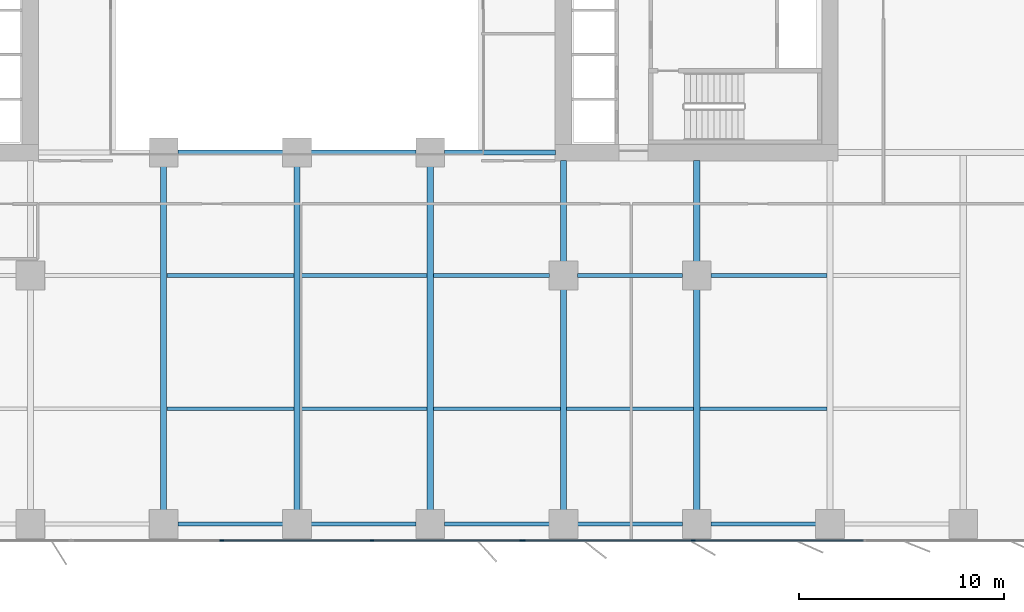
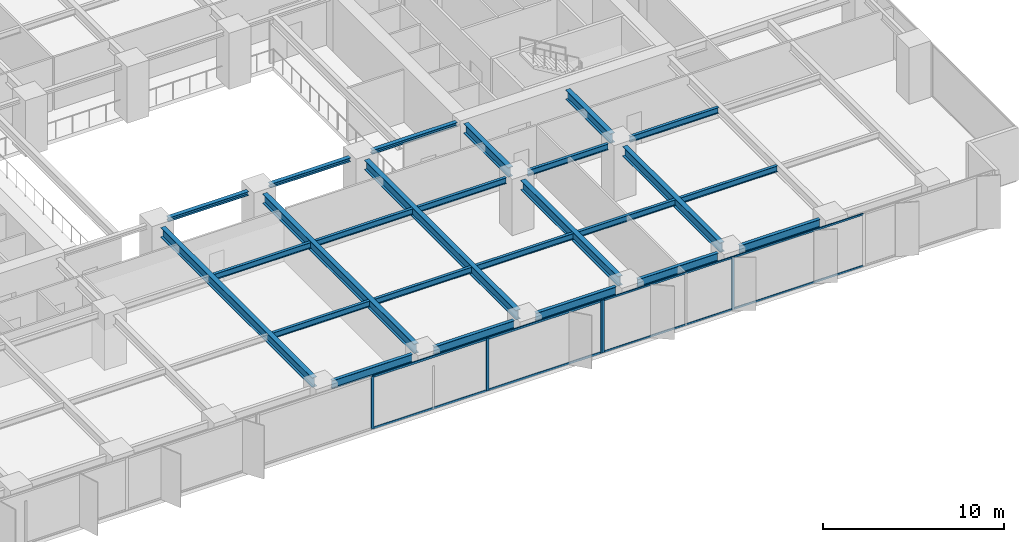
# One storey, part 5 of 21: 25 beams, 13 members, 2 elements without a shape of their own.
"""IFC4 building model written with IfcOpenShell, lengths in metres."""

from ifc_helpers import new_model, si_unit, direction, frame, origin, origin_2d, place, context, subcontext, project, spatial, rectangle, i_section, extrude, material, layer, layer_set, material_profile, profile_set, type_object, element, aggregate, save


model = new_model("IFC4")

# Units and contexts
model_context = context("Model", 3, precision=1e-05, world=origin(), true_north=direction((0.0, 1.0)))
body_context = subcontext(model_context, "Body", "Model", "MODEL_VIEW")
ifc_project = project(units=[si_unit("LENGTHUNIT", "METRE"), si_unit("AREAUNIT", "SQUARE_METRE"), si_unit("VOLUMEUNIT", "CUBIC_METRE"), si_unit("PLANEANGLEUNIT", "RADIAN"), si_unit("MASSUNIT", "GRAM", prefix="KILO")], contexts=[model_context])

# Site, building, storey
site_placement = place(None, origin())
site = spatial("IfcSite", under=ifc_project, at=site_placement, CompositionType="ELEMENT")
building_placement = place(site_placement, origin())
building = spatial("IfcBuilding", under=site, at=building_placement, Name="Putna Gate Headquarters", CompositionType="ELEMENT")
storey_placement = place(building_placement, frame((0.0, 0.0, 39.199951171875)))
storey = spatial("IfcBuildingStorey", under=building, at=storey_placement, Name="L08", CompositionType="ELEMENT", Elevation=39.199951171875)

# Beams
ifc_material_1 = material(Name="Steel S355J2", Category="steel")
ifc_material_profile_1 = material_profile(ifc_material_1, i_section(OverallWidth=0.260009765625, OverallDepth=0.260009765625, WebThickness=0.010009765625, FlangeThickness=0.017578125, at=origin_2d()), Name="Steel S355J2")
ifc_profile_set_1 = profile_set([ifc_material_profile_1], Name="Steel S355J2")
beam_type_1 = type_object("IfcBeamType", Name="BM-ATRIUM-HEB260", PredefinedType="BEAM", material=ifc_profile_set_1)
for number, where, z_axis, x_axis, name in (
    (1, (33.18798828125, 19.0, 3.420166015625), (1.0, 0.0, 0.0), (0.0, 1.0, 0.0), "L08 Atrium Edge Beam AS2"),
    (2, (39.68798828125, 19.0, 3.420166015625), (1.0, 0.0, 0.0), (0.0, 1.0, 0.0), "L08 Atrium Edge Beam AS3"),
):
    element("IfcBeam", number, at=place(storey_placement, frame(where, z_axis=z_axis, x_axis=x_axis)), inside=storey, type_object=beam_type_1, Name=name, PredefinedType="BEAM", context=body_context, shape_type="SweptSolid", body=[
        extrude(i_section(OverallWidth=0.260009765625, OverallDepth=0.260009765625, WebThickness=0.010009765625, FlangeThickness=0.017578125, at=origin_2d()), origin(), (0.0, 0.0, 1.0), 5.1240234375),
    ])
beam_1_placement = place(storey_placement, frame((46.18798828125, 19.0, 3.420166015625), z_axis=(1.0, 0.0, 0.0), x_axis=(0.0, 1.0, 0.0)))
element("IfcBeam", 3, at=beam_1_placement, inside=storey, type_object=beam_type_1, Name="L08 Atrium Edge Beam AS4", PredefinedType="BEAM", context=body_context, shape_type="SweptSolid", body=[
    extrude(i_section(OverallWidth=0.260009765625, OverallDepth=0.260009765625, WebThickness=0.010009765625, FlangeThickness=0.017578125, at=origin_2d()), origin(), (0.0, 0.0, 1.0), 5.427001953125),
])
ifc_material_profile_2 = material_profile(ifc_material_1, i_section(OverallWidth=0.300048828125, OverallDepth=0.64990234375, WebThickness=0.01611328125, FlangeThickness=0.031005859375, at=origin_2d()), Name="Steel S355J2")
ifc_profile_set_2 = profile_set([ifc_material_profile_2], Name="Steel S355J2")
beam_type_2 = type_object("IfcBeamType", Name="BM-GIRD-Z1-HEB650", PredefinedType="USERDEFINED", material=ifc_profile_set_2)
for number, where, z_axis, x_axis, name in (
    (4, (32.5, 1.568115234375, 3.22509765625), (0.0, 1.0, 0.0), (-1.0, 0.0, 0.0), "L08 South Primary Girder X32"),
    (5, (39.0, 1.568115234375, 3.22509765625), (0.0, 1.0, 0.0), (-1.0, 0.0, 0.0), "L08 South Primary Girder X39"),
    (6, (45.5, 1.568115234375, 3.22509765625), (0.0, 1.0, 0.0), (-1.0, 0.0, 0.0), "L08 South Primary Girder X45"),
):
    element("IfcBeam", number, at=place(storey_placement, frame(where, z_axis=z_axis, x_axis=x_axis)), inside=storey, type_object=beam_type_2, Name=name, ObjectType="GIRDER", PredefinedType="USERDEFINED", context=body_context, shape_type="SweptSolid", body=[
        extrude(i_section(OverallWidth=0.300048828125, OverallDepth=0.64990234375, WebThickness=0.01611328125, FlangeThickness=0.031005859375, at=origin_2d()), origin(), (0.0, 0.0, 1.0), 16.743896484375),
    ])
beam_2_placement = place(storey_placement, frame((52.0, 1.568115234375, 3.22509765625), z_axis=(0.0, 1.0, 0.0), x_axis=(-1.0, 0.0, 0.0)))
element("IfcBeam", 7, at=beam_2_placement, inside=storey, type_object=beam_type_2, Name="L08 South Primary Girder X52-1", ObjectType="GIRDER", PredefinedType="USERDEFINED", context=body_context, shape_type="SweptSolid", body=[
    extrude(i_section(OverallWidth=0.300048828125, OverallDepth=0.64990234375, WebThickness=0.01611328125, FlangeThickness=0.031005859375, at=origin_2d()), origin(), (0.0, 0.0, 1.0), 10.743896484375),
])
beam_3_placement = place(storey_placement, frame((52.0, 13.68798828125, 3.22509765625), z_axis=(0.0, 1.0, 0.0), x_axis=(-1.0, 0.0, 0.0)))
element("IfcBeam", 8, at=beam_3_placement, inside=storey, type_object=beam_type_2, Name="L08 South Primary Girder X52-2", ObjectType="GIRDER", PredefinedType="USERDEFINED", context=body_context, shape_type="SweptSolid", body=[
    extrude(i_section(OverallWidth=0.300048828125, OverallDepth=0.64990234375, WebThickness=0.01611328125, FlangeThickness=0.031005859375, at=origin_2d()), origin(), (0.0, 0.0, 1.0), 4.927001953125),
])
beam_4_placement = place(storey_placement, frame((58.5, 1.568115234375, 3.22509765625), z_axis=(0.0, 1.0, 0.0), x_axis=(-1.0, 0.0, 0.0)))
element("IfcBeam", 9, at=beam_4_placement, inside=storey, type_object=beam_type_2, Name="L08 South Primary Girder X58-1", ObjectType="GIRDER", PredefinedType="USERDEFINED", context=body_context, shape_type="SweptSolid", body=[
    extrude(i_section(OverallWidth=0.300048828125, OverallDepth=0.64990234375, WebThickness=0.01611328125, FlangeThickness=0.031005859375, at=origin_2d()), origin(), (0.0, 0.0, 1.0), 10.743896484375),
])
beam_5_placement = place(storey_placement, frame((58.5, 13.68798828125, 3.22509765625), z_axis=(0.0, 1.0, 0.0), x_axis=(-1.0, 0.0, 0.0)))
element("IfcBeam", 10, at=beam_5_placement, inside=storey, type_object=beam_type_2, Name="L08 South Primary Girder X58-2", ObjectType="GIRDER", PredefinedType="USERDEFINED", context=body_context, shape_type="SweptSolid", body=[
    extrude(i_section(OverallWidth=0.300048828125, OverallDepth=0.64990234375, WebThickness=0.01611328125, FlangeThickness=0.031005859375, at=origin_2d()), origin(), (0.0, 0.0, 1.0), 4.927001953125),
])
ifc_material_profile_3 = material_profile(ifc_material_1, i_section(OverallWidth=0.179931640625, OverallDepth=0.39990234375, WebThickness=0.008544921875, FlangeThickness=0.013427734375, at=origin_2d()), Name="Steel S355J2")
ifc_profile_set_3 = profile_set([ifc_material_profile_3], Name="Steel S355J2")
beam_type_3 = type_object("IfcBeamType", Name="BM-SEC-Z1-IPE400", PredefinedType="BEAM", material=ifc_profile_set_3)
for number, where, z_axis, x_axis, name in (
    (11, (32.654052734375, 6.5, 3.35009765625), (1.0, 0.0, 0.0), (0.0, 1.0, 0.0), "L08 South Secondary Beam 5"),
    (12, (32.654052734375, 13.0, 3.35009765625), (1.0, 0.0, 0.0), (0.0, 1.0, 0.0), "L08 South Secondary Beam 5"),
    (13, (39.154052734375, 6.5, 3.35009765625), (1.0, 0.0, 0.0), (0.0, 1.0, 0.0), "L08 South Secondary Beam 6"),
    (14, (39.154052734375, 13.0, 3.35009765625), (1.0, 0.0, 0.0), (0.0, 1.0, 0.0), "L08 South Secondary Beam 6"),
    (15, (45.654052734375, 6.5, 3.35009765625), (1.0, 0.0, 0.0), (0.0, 1.0, 0.0), "L08 South Secondary Beam 7"),
):
    element("IfcBeam", number, at=place(storey_placement, frame(where, z_axis=z_axis, x_axis=x_axis)), inside=storey, type_object=beam_type_3, Name=name, PredefinedType="BEAM", context=body_context, shape_type="SweptSolid", body=[
        extrude(i_section(OverallWidth=0.179931640625, OverallDepth=0.39990234375, WebThickness=0.008544921875, FlangeThickness=0.013427734375, at=origin_2d()), origin(), (0.0, 0.0, 1.0), 6.19189453125),
    ])
beam_6_placement = place(storey_placement, frame((45.654052734375, 13.0, 3.35009765625), z_axis=(1.0, 0.0, 0.0), x_axis=(0.0, 1.0, 0.0)))
element("IfcBeam", 16, at=beam_6_placement, inside=storey, type_object=beam_type_3, Name="L08 South Secondary Beam 7", PredefinedType="BEAM", context=body_context, shape_type="SweptSolid", body=[
    extrude(i_section(OverallWidth=0.179931640625, OverallDepth=0.39990234375, WebThickness=0.008544921875, FlangeThickness=0.013427734375, at=origin_2d()), origin(), (0.0, 0.0, 1.0), 5.657958984375),
])
beam_7_placement = place(storey_placement, frame((52.154052734375, 6.5, 3.35009765625), z_axis=(1.0, 0.0, 0.0), x_axis=(0.0, 1.0, 0.0)))
element("IfcBeam", 17, at=beam_7_placement, inside=storey, type_object=beam_type_3, Name="L08 South Secondary Beam 8", PredefinedType="BEAM", context=body_context, shape_type="SweptSolid", body=[
    extrude(i_section(OverallWidth=0.179931640625, OverallDepth=0.39990234375, WebThickness=0.008544921875, FlangeThickness=0.013427734375, at=origin_2d()), origin(), (0.0, 0.0, 1.0), 6.19189453125),
])
beam_8_placement = place(storey_placement, frame((52.68798828125, 13.0, 3.35009765625), z_axis=(1.0, 0.0, 0.0), x_axis=(0.0, 1.0, 0.0)))
element("IfcBeam", 18, at=beam_8_placement, inside=storey, type_object=beam_type_3, Name="L08 South Secondary Beam 8", PredefinedType="BEAM", context=body_context, shape_type="SweptSolid", body=[
    extrude(i_section(OverallWidth=0.179931640625, OverallDepth=0.39990234375, WebThickness=0.008544921875, FlangeThickness=0.013427734375, at=origin_2d()), origin(), (0.0, 0.0, 1.0), 5.1240234375),
])
beam_9_placement = place(storey_placement, frame((58.654052734375, 6.5, 3.35009765625), z_axis=(1.0, 0.0, 0.0), x_axis=(0.0, 1.0, 0.0)))
element("IfcBeam", 19, at=beam_9_placement, inside=storey, type_object=beam_type_3, Name="L08 South Secondary Beam 9", PredefinedType="BEAM", context=body_context, shape_type="SweptSolid", body=[
    extrude(i_section(OverallWidth=0.179931640625, OverallDepth=0.39990234375, WebThickness=0.008544921875, FlangeThickness=0.013427734375, at=origin_2d()), origin(), (0.0, 0.0, 1.0), 6.19189453125),
])
beam_10_placement = place(storey_placement, frame((59.18798828125, 13.0, 3.35009765625), z_axis=(1.0, 0.0, 0.0), x_axis=(0.0, 1.0, 0.0)))
element("IfcBeam", 20, at=beam_10_placement, inside=storey, type_object=beam_type_3, Name="L08 South Secondary Beam 9", PredefinedType="BEAM", context=body_context, shape_type="SweptSolid", body=[
    extrude(i_section(OverallWidth=0.179931640625, OverallDepth=0.39990234375, WebThickness=0.008544921875, FlangeThickness=0.013427734375, at=origin_2d()), origin(), (0.0, 0.0, 1.0), 5.657958984375),
])
ifc_material_profile_4 = material_profile(ifc_material_1, i_section(OverallWidth=0.2099609375, OverallDepth=0.550048828125, WebThickness=0.010986328125, FlangeThickness=0.01708984375, at=origin_2d()), Name="Steel S355J2")
ifc_profile_set_4 = profile_set([ifc_material_profile_4], Name="Steel S355J2")
beam_type_4 = type_object("IfcBeamType", Name="BM-SPAN-Z1-IPE550", PredefinedType="SPANDREL", material=ifc_profile_set_4)
for number, where, z_axis, x_axis, name in (
    (21, (33.18798828125, 0.8798828125, 3.275146484375), (1.0, 0.0, 0.0), (0.0, 1.0, 0.0), "L08 S Perimeter Spandrel 5"),
    (22, (39.68798828125, 0.8798828125, 3.275146484375), (1.0, 0.0, 0.0), (0.0, 1.0, 0.0), "L08 S Perimeter Spandrel 6"),
    (23, (46.18798828125, 0.8798828125, 3.275146484375), (1.0, 0.0, 0.0), (0.0, 1.0, 0.0), "L08 S Perimeter Spandrel 7"),
    (24, (52.68798828125, 0.8798828125, 3.275146484375), (1.0, 0.0, 0.0), (0.0, 1.0, 0.0), "L08 S Perimeter Spandrel 8"),
    (25, (59.18798828125, 0.8798828125, 3.275146484375), (1.0, 0.0, 0.0), (0.0, 1.0, 0.0), "L08 S Perimeter Spandrel 9"),
):
    element("IfcBeam", number, at=place(storey_placement, frame(where, z_axis=z_axis, x_axis=x_axis)), inside=storey, type_object=beam_type_4, Name=name, PredefinedType="SPANDREL", context=body_context, shape_type="SweptSolid", body=[
        extrude(i_section(OverallWidth=0.2099609375, OverallDepth=0.550048828125, WebThickness=0.010986328125, FlangeThickness=0.01708984375, at=origin_2d()), origin(), (0.0, 0.0, 1.0), 5.1240234375),
    ])

# Curtain wall, members
ifc_material_2 = material(Name="Anodised bronze aluminium curtain wall", Category="aluminium")
ifc_layer_1 = layer(ifc_material_2, 0.179931640625)
ifc_layer_set_1 = layer_set([ifc_layer_1], Name="Anodised bronze aluminium curtain wall")
curtain_wall_type_1 = type_object("IfcCurtainWallType", Name="CW-SYS-Z1", PredefinedType="USERDEFINED", material=ifc_layer_set_1)
curtain_wall_1_placement = place(storey_placement, origin())
curtain_wall_1 = element("IfcCurtainWall", 26, at=curtain_wall_1_placement, inside=storey, type_object=curtain_wall_type_1, Name="L08 South East Curtain Wall", ObjectType="STICK CURTAIN WALL", PredefinedType="USERDEFINED")
ifc_material_3 = material(Name="Anodised bronze aluminium EN AW-6060", Category="aluminium")
ifc_material_profile_5 = material_profile(ifc_material_3, rectangle(XDim=0.070068359375, YDim=0.179931640625, at=origin_2d()), Name="Anodised bronze aluminium EN AW-6060")
ifc_profile_set_5 = profile_set([ifc_material_profile_5], Name="Anodised bronze aluminium EN AW-6060")
member_type_1 = type_object("IfcMemberType", Name="MULL-CWM-1", PredefinedType="MULLION", material=ifc_profile_set_5)
member_1_placement = place(storey_placement, frame((50.034912109375, 0.080078125, 0.0), z_axis=(0.0, 0.0, 1.0), x_axis=(0.0, 1.0, 0.0)))
member_1 = element("IfcMember", 27, at=member_1_placement, type_object=member_type_1, Name="CWS-1 mullion 1", PredefinedType="MULLION", context=body_context, shape_type="SweptSolid", body=[
    extrude(rectangle(XDim=0.070068359375, YDim=0.179931640625, at=origin_2d()), origin(), (0.0, 0.0, 1.0), 3.550048828125),
])
member_2_placement = place(storey_placement, frame((58.333251953125, 0.080078125, 0.0), z_axis=(0.0, 0.0, 1.0), x_axis=(0.0, 1.0, 0.0)))
member_2 = element("IfcMember", 28, at=member_2_placement, type_object=member_type_1, Name="CWS-1 mullion 2", PredefinedType="MULLION", context=body_context, shape_type="SweptSolid", body=[
    extrude(rectangle(XDim=0.070068359375, YDim=0.179931640625, at=origin_2d()), origin(), (0.0, 0.0, 1.0), 3.550048828125),
])

ifc_layer_2 = layer(ifc_material_2, 0.179931640625)
ifc_layer_set_2 = layer_set([ifc_layer_2], Name="Anodised bronze aluminium curtain wall")
curtain_wall_type_2 = type_object("IfcCurtainWallType", Name="CW-SYS-ATR", PredefinedType="USERDEFINED", material=ifc_layer_set_2)
curtain_wall_2_placement = place(storey_placement, origin())
curtain_wall_2 = element("IfcCurtainWall", 29, at=curtain_wall_2_placement, inside=storey, type_object=curtain_wall_type_2, Name="L08 South Atrium Clear Glazing", ObjectType="ATRIUM GLAZING", PredefinedType="USERDEFINED")
ifc_material_profile_6 = material_profile(ifc_material_3, rectangle(XDim=0.070068359375, YDim=0.179931640625, at=origin_2d()), Name="Anodised bronze aluminium EN AW-6060")
ifc_profile_set_6 = profile_set([ifc_material_profile_6], Name="Anodised bronze aluminium EN AW-6060")
member_type_2 = type_object("IfcMemberType", Name="MULL-CWM-AT", PredefinedType="MULLION", material=ifc_profile_set_6)
member_3_placement = place(storey_placement, frame((35.333251953125, 0.080078125, 0.0), z_axis=(0.0, 0.0, 1.0), x_axis=(0.0, 1.0, 0.0)))
member_3 = element("IfcMember", 30, at=member_3_placement, type_object=member_type_2, Name="CWS-AT mullion 2", PredefinedType="MULLION", context=body_context, shape_type="SweptSolid", body=[
    extrude(rectangle(XDim=0.070068359375, YDim=0.179931640625, at=origin_2d()), origin(), (0.0, 0.0, 1.0), 3.550048828125),
])
member_4_placement = place(storey_placement, frame((42.666748046875, 0.080078125, 0.0), z_axis=(0.0, 0.0, 1.0), x_axis=(0.0, 1.0, 0.0)))
member_4 = element("IfcMember", 31, at=member_4_placement, type_object=member_type_2, Name="CWS-AT mullion 3", PredefinedType="MULLION", context=body_context, shape_type="SweptSolid", body=[
    extrude(rectangle(XDim=0.070068359375, YDim=0.179931640625, at=origin_2d()), origin(), (0.0, 0.0, 1.0), 3.550048828125),
])
member_5_placement = place(storey_placement, frame((49.965087890625, 0.080078125, 0.0), z_axis=(0.0, 0.0, 1.0), x_axis=(0.0, 1.0, 0.0)))
member_5 = element("IfcMember", 32, at=member_5_placement, type_object=member_type_2, Name="CWS-AT mullion 4", PredefinedType="MULLION", context=body_context, shape_type="SweptSolid", body=[
    extrude(rectangle(XDim=0.070068359375, YDim=0.179931640625, at=origin_2d()), origin(), (0.0, 0.0, 1.0), 3.550048828125),
])

# Member
ifc_material_profile_7 = material_profile(ifc_material_3, rectangle(XDim=0.06494140625, YDim=0.1201171875, at=origin_2d()), Name="Anodised bronze aluminium EN AW-6060")
ifc_profile_set_7 = profile_set([ifc_material_profile_7], Name="Anodised bronze aluminium EN AW-6060")
member_type_3 = type_object("IfcMemberType", Name="TRAN-CWT-1", PredefinedType="USERDEFINED", material=ifc_profile_set_7)
member_6_placement = place(storey_placement, frame((50.070068359375, 0.080078125, 0.032470703125), z_axis=(1.0, 0.0, 0.0), x_axis=(0.0, 1.0, 0.0)))
member_6 = element("IfcMember", 33, at=member_6_placement, type_object=member_type_3, Name="CWS-1 transom 1.1", ObjectType="TRANSOM", PredefinedType="USERDEFINED", context=body_context, shape_type="SweptSolid", body=[
    extrude(rectangle(XDim=0.06494140625, YDim=0.1201171875, at=origin_2d()), origin(), (0.0, 0.0, 1.0), 8.228271484375),
])

member_7_placement = place(storey_placement, frame((50.070068359375, 0.080078125, 3.517578125), z_axis=(1.0, 0.0, 0.0), x_axis=(0.0, 1.0, 0.0)))
member_7 = element("IfcMember", 34, at=member_7_placement, type_object=member_type_3, Name="CWS-1 transom 1.2", ObjectType="TRANSOM", PredefinedType="USERDEFINED", context=body_context, shape_type="SweptSolid", body=[
    extrude(rectangle(XDim=0.06494140625, YDim=0.1201171875, at=origin_2d()), origin(), (0.0, 0.0, 1.0), 8.228271484375),
])

member_8_placement = place(storey_placement, frame((58.368408203125, 0.080078125, 0.032470703125), z_axis=(1.0, 0.0, 0.0), x_axis=(0.0, 1.0, 0.0)))
member_8 = element("IfcMember", 35, at=member_8_placement, type_object=member_type_3, Name="CWS-1 transom 2.1", ObjectType="TRANSOM", PredefinedType="USERDEFINED", context=body_context, shape_type="SweptSolid", body=[
    extrude(rectangle(XDim=0.06494140625, YDim=0.1201171875, at=origin_2d()), origin(), (0.0, 0.0, 1.0), 8.26318359375),
])

member_9_placement = place(storey_placement, frame((58.368408203125, 0.080078125, 3.517578125), z_axis=(1.0, 0.0, 0.0), x_axis=(0.0, 1.0, 0.0)))
member_9 = element("IfcMember", 36, at=member_9_placement, type_object=member_type_3, Name="CWS-1 transom 2.2", ObjectType="TRANSOM", PredefinedType="USERDEFINED", context=body_context, shape_type="SweptSolid", body=[
    extrude(rectangle(XDim=0.06494140625, YDim=0.1201171875, at=origin_2d()), origin(), (0.0, 0.0, 1.0), 8.26318359375),
])

aggregate(curtain_wall_1, [member_1, member_2, member_6, member_7, member_8, member_9])

ifc_material_profile_8 = material_profile(ifc_material_3, rectangle(XDim=0.070068359375, YDim=0.139892578125, at=origin_2d()), Name="Anodised bronze aluminium EN AW-6060")
ifc_profile_set_8 = profile_set([ifc_material_profile_8], Name="Anodised bronze aluminium EN AW-6060")
member_type_4 = type_object("IfcMemberType", Name="TRAN-CWT-AT", PredefinedType="USERDEFINED", material=ifc_profile_set_8)
member_10_placement = place(storey_placement, frame((35.368408203125, 0.080078125, 0.03515625), z_axis=(1.0, 0.0, 0.0), x_axis=(0.0, 1.0, 0.0)))
member_10 = element("IfcMember", 37, at=member_10_placement, type_object=member_type_4, Name="CWS-AT transom 2.1", ObjectType="TRANSOM", PredefinedType="USERDEFINED", context=body_context, shape_type="SweptSolid", body=[
    extrude(rectangle(XDim=0.070068359375, YDim=0.139892578125, at=origin_2d()), origin(), (0.0, 0.0, 1.0), 7.26318359375),
])

member_11_placement = place(storey_placement, frame((35.368408203125, 0.080078125, 3.51513671875), z_axis=(1.0, 0.0, 0.0), x_axis=(0.0, 1.0, 0.0)))
member_11 = element("IfcMember", 38, at=member_11_placement, type_object=member_type_4, Name="CWS-AT transom 2.2", ObjectType="TRANSOM", PredefinedType="USERDEFINED", context=body_context, shape_type="SweptSolid", body=[
    extrude(rectangle(XDim=0.070068359375, YDim=0.139892578125, at=origin_2d()), origin(), (0.0, 0.0, 1.0), 7.26318359375),
])

member_12_placement = place(storey_placement, frame((42.70166015625, 0.080078125, 0.03515625), z_axis=(1.0, 0.0, 0.0), x_axis=(0.0, 1.0, 0.0)))
member_12 = element("IfcMember", 39, at=member_12_placement, type_object=member_type_4, Name="CWS-AT transom 3.1", ObjectType="TRANSOM", PredefinedType="USERDEFINED", context=body_context, shape_type="SweptSolid", body=[
    extrude(rectangle(XDim=0.070068359375, YDim=0.139892578125, at=origin_2d()), origin(), (0.0, 0.0, 1.0), 7.228271484375),
])

member_13_placement = place(storey_placement, frame((42.70166015625, 0.080078125, 3.51513671875), z_axis=(1.0, 0.0, 0.0), x_axis=(0.0, 1.0, 0.0)))
member_13 = element("IfcMember", 40, at=member_13_placement, type_object=member_type_4, Name="CWS-AT transom 3.2", ObjectType="TRANSOM", PredefinedType="USERDEFINED", context=body_context, shape_type="SweptSolid", body=[
    extrude(rectangle(XDim=0.070068359375, YDim=0.139892578125, at=origin_2d()), origin(), (0.0, 0.0, 1.0), 7.228271484375),
])

aggregate(curtain_wall_2, [member_3, member_4, member_5, member_10, member_11, member_12, member_13])

save(model, "model.ifc")
